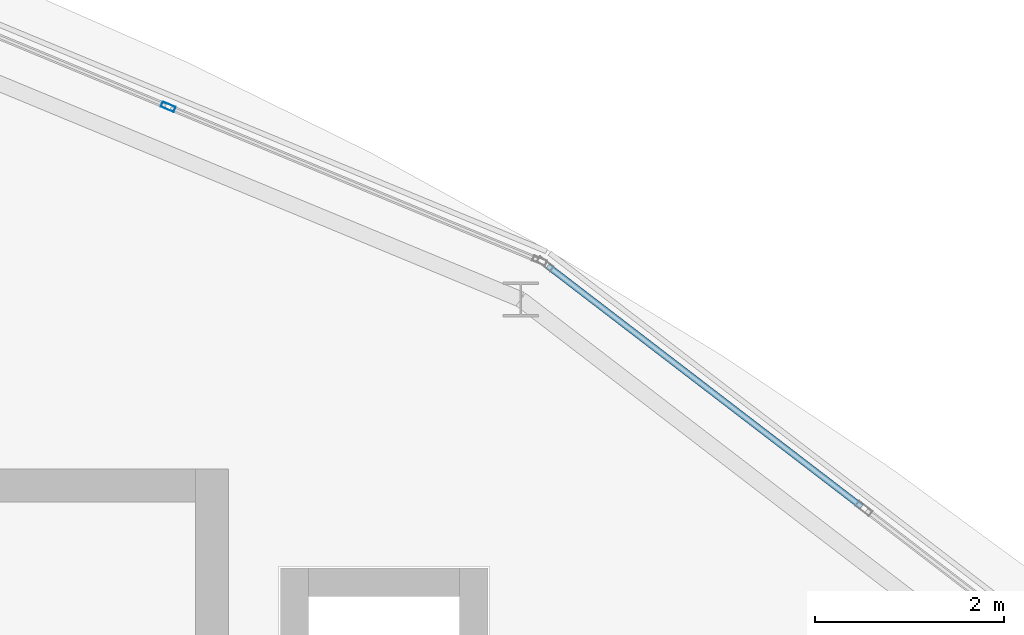
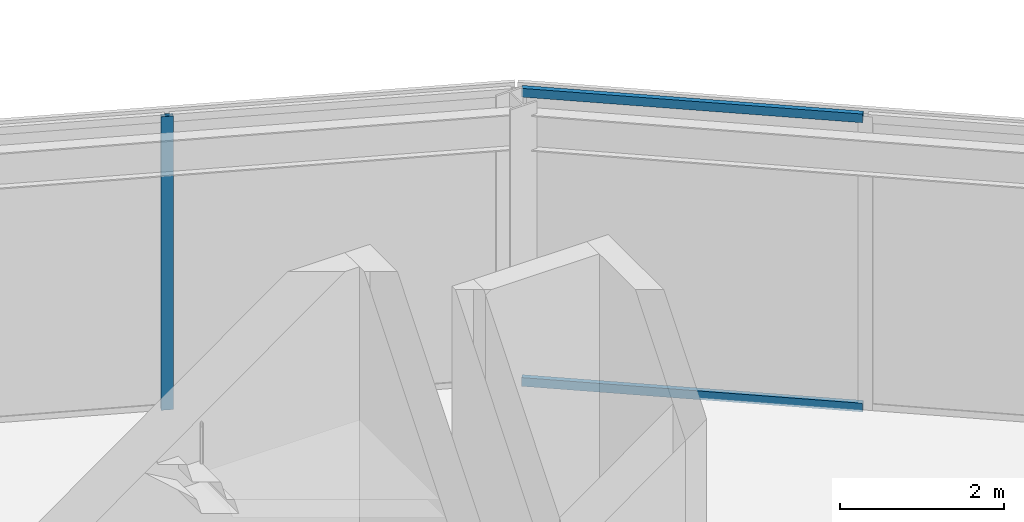
# One storey, part 84 of 157: 3 members, 2 elements without a shape of their own.
"""IFC4 building model written with IfcOpenShell, lengths in metres."""

from ifc_helpers import new_model, si_unit, direction, frame, origin, origin_2d, place, context, subcontext, project, spatial, hollow_rectangle, extrude, material, material_profile, profile_set, type_object, element, aggregate, save


model = new_model("IFC4")

# Units and contexts
model_context = context("Model", 3, precision=1e-05, world=origin(), true_north=direction((0.0, 1.0)))
body_context = subcontext(model_context, "Body", "Model", "MODEL_VIEW")
ifc_project = project(units=[si_unit("LENGTHUNIT", "METRE"), si_unit("AREAUNIT", "SQUARE_METRE"), si_unit("VOLUMEUNIT", "CUBIC_METRE"), si_unit("PLANEANGLEUNIT", "RADIAN"), si_unit("MASSUNIT", "GRAM", prefix="KILO")], contexts=[model_context])

# Site, building, storey
site_placement = place(None, origin())
site = spatial("IfcSite", under=ifc_project, at=site_placement, CompositionType="ELEMENT")
building_placement = place(site_placement, origin())
building = spatial("IfcBuilding", under=site, at=building_placement, Name="Almandine Court Research Institute", CompositionType="ELEMENT")
storey_placement = place(building_placement, frame((0.0, 0.0, 5.25)))
storey = spatial("IfcBuildingStorey", under=building, at=storey_placement, Name="L01", CompositionType="ELEMENT", Elevation=5.25)

# Curtain wall, member
ifc_material_1 = material(Name="Unitised Curtain Wall Framing and Solar Glazing", Category="glass")
curtain_wall_type_1 = type_object("IfcCurtainWallType", Name="CW-CWG-20", PredefinedType="USERDEFINED", material=ifc_material_1)
curtain_wall_1_placement = place(storey_placement, origin())
curtain_wall_1 = element("IfcCurtainWall", 1, at=curtain_wall_1_placement, inside=storey, type_object=curtain_wall_type_1, Name="L01 Stacked-Ring Drum Outer Unitised Glazing 04", ObjectType="UNITISED GLAZING", PredefinedType="USERDEFINED")
ifc_material_2 = material(Name="Anodised Aluminium AW-6063-T6", Category="aluminium")
ifc_material_profile_1 = material_profile(ifc_material_2, hollow_rectangle(XDim=0.06005859375, YDim=0.14990234375, WallThickness=0.00390625, at=origin_2d()), Name="ALU RHS 60x150x4")
ifc_profile_set_1 = profile_set([ifc_material_profile_1], Name="Anodised Aluminium AW-6063-T6")
member_type_1 = type_object("IfcMemberType", Name="CWMul-60x150", PredefinedType="MULLION", material=ifc_profile_set_1)
member_1_placement = place(storey_placement, frame((107.7109375, 100.3916015625, 0.0), z_axis=(0.0, 0.0, 1.0), x_axis=(0.382662689242, 0.923888124321, 0.0)))
member_1 = element("IfcMember", 2, at=member_1_placement, type_object=member_type_1, Name="CWG-20 mullion 3", PredefinedType="MULLION", context=body_context, shape_type="SweptSolid", body=[
    extrude(hollow_rectangle(XDim=0.06005859375, YDim=0.14990234375, WallThickness=0.00390625, at=origin_2d()), origin(), (0.0, 0.0, 1.0), 4.3701171875),
])
aggregate(curtain_wall_1, [member_1])

# Curtain wall, members
curtain_wall_type_2 = type_object("IfcCurtainWallType", Name="CW-CWJ-19", PredefinedType="USERDEFINED", material=ifc_material_1)
curtain_wall_2_placement = place(storey_placement, origin())
curtain_wall_2 = element("IfcCurtainWall", 3, at=curtain_wall_2_placement, inside=storey, type_object=curtain_wall_type_2, Name="L01 Stacked-Ring Drum Outer Solar Jali Screen 03", ObjectType="SOLAR JALI SCREEN", PredefinedType="USERDEFINED")
ifc_material_profile_2 = material_profile(ifc_material_2, hollow_rectangle(XDim=0.06494140625, YDim=0.1298828125, WallThickness=0.00390625, at=origin_2d()), Name="ALU RHS 65x130x4")
ifc_profile_set_2 = profile_set([ifc_material_profile_2], Name="Anodised Aluminium AW-6063-T6")
member_type_2 = type_object("IfcMemberType", Name="CWTrn-65x130", PredefinedType="NOTDEFINED", material=ifc_profile_set_2)
member_2_placement = place(storey_placement, frame((111.734619140625, 98.705322265625, 0.032470703125), z_axis=(0.793408675449, -0.608689308041, 0.0), x_axis=(0.608689308041, 0.793408675449, 0.0)))
member_2 = element("IfcMember", 4, at=member_2_placement, type_object=member_type_2, Name="CWJ-19 transom 1.1", ObjectType="TRANSOM", PredefinedType="USERDEFINED", context=body_context, shape_type="SweptSolid", body=[
    extrude(hollow_rectangle(XDim=0.06494140625, YDim=0.1298828125, WallThickness=0.00390625, at=origin_2d()), origin(), (0.0, 0.0, 1.0), 4.195068359375),
])
member_3_placement = place(storey_placement, frame((111.734619140625, 98.705322265625, 4.33740234375), z_axis=(0.793408675449, -0.608689308041, 0.0), x_axis=(0.608689308041, 0.793408675449, 0.0)))
member_3 = element("IfcMember", 5, at=member_3_placement, type_object=member_type_2, Name="CWJ-19 transom 1.2", ObjectType="TRANSOM", PredefinedType="USERDEFINED", context=body_context, shape_type="SweptSolid", body=[
    extrude(hollow_rectangle(XDim=0.06494140625, YDim=0.1298828125, WallThickness=0.00390625, at=origin_2d()), origin(), (0.0, 0.0, 1.0), 4.195068359375),
])
aggregate(curtain_wall_2, [member_2, member_3])

save(model, "model.ifc")
